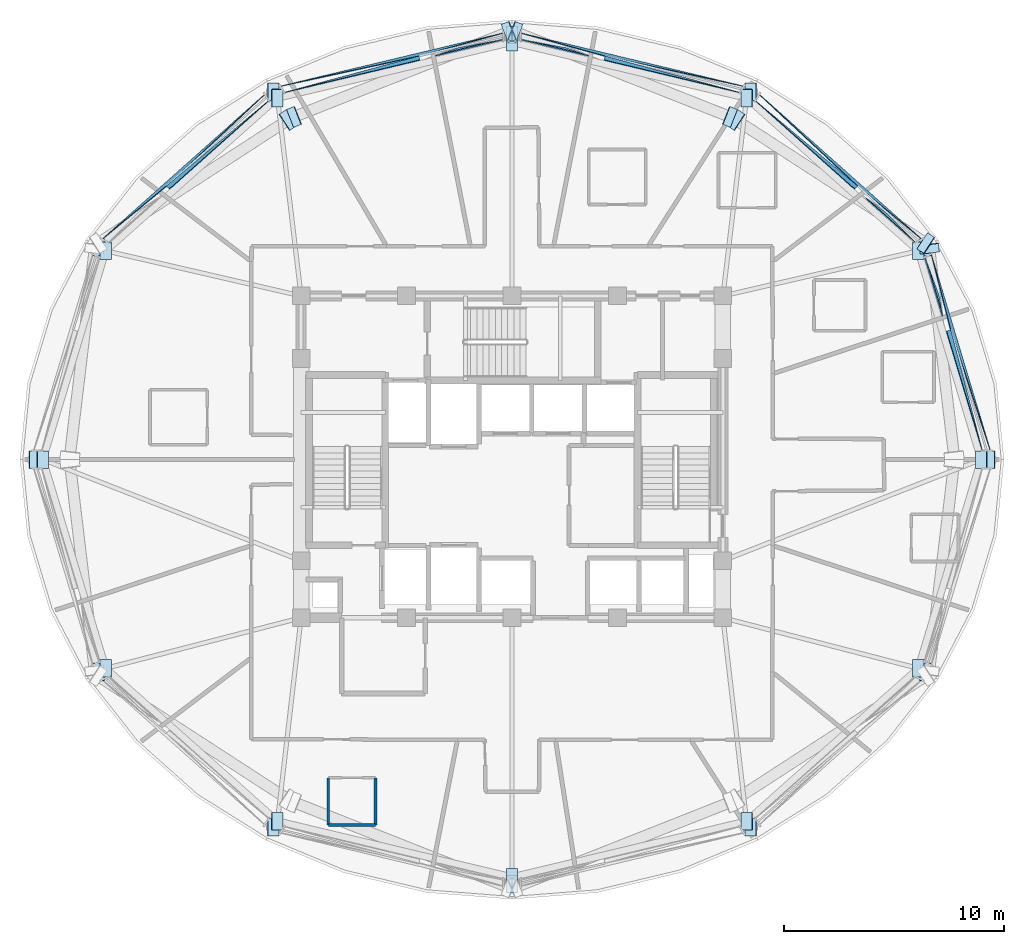
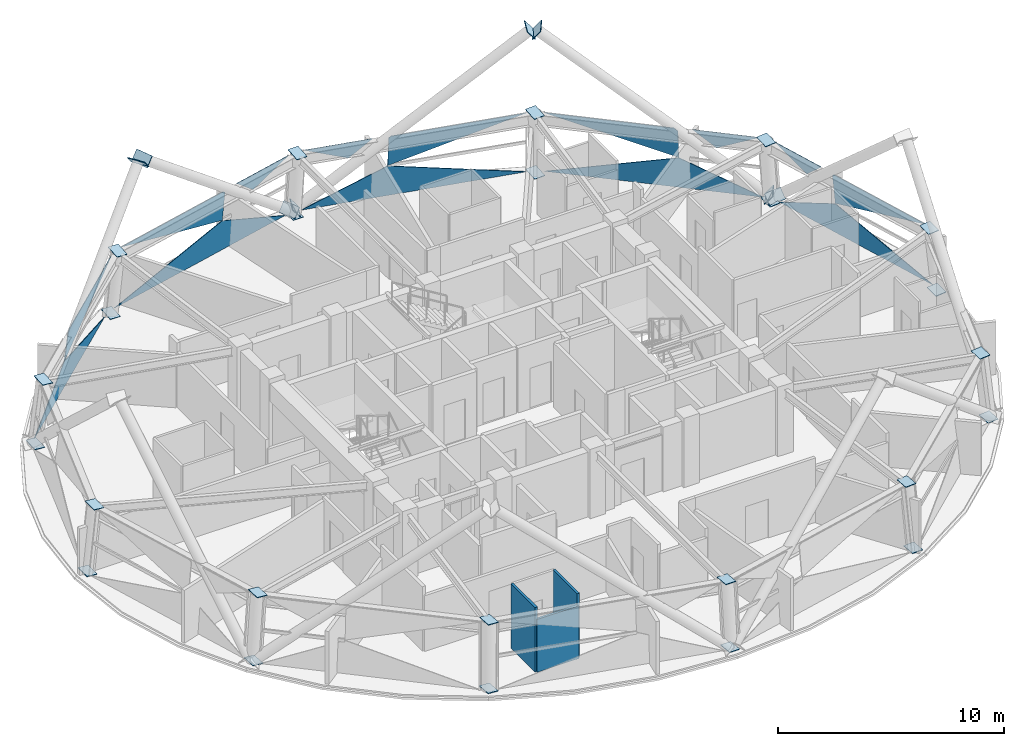
# One storey, part 4 of 12: 46 plates, 3 walls, 5 elements without a shape of their own.
"""IFC4 building model written with IfcOpenShell, lengths in metres."""

from ifc_helpers import new_model, si_unit, direction, frame, frame_2d, origin, place, context, subcontext, project, spatial, polyline, rectangle, outline, extrude, material, layer, layer_set, type_object, element, aggregate, save


model = new_model("IFC4")

# Units and contexts
model_context = context("Model", 3, precision=1e-05, world=origin(), true_north=direction((0.0, 1.0)))
body_context = subcontext(model_context, "Body", "Model", "MODEL_VIEW")
ifc_project = project(units=[si_unit("LENGTHUNIT", "METRE"), si_unit("AREAUNIT", "SQUARE_METRE"), si_unit("VOLUMEUNIT", "CUBIC_METRE"), si_unit("PLANEANGLEUNIT", "RADIAN"), si_unit("MASSUNIT", "GRAM", prefix="KILO")], contexts=[model_context])

# Site, building, storey
site_placement = place(None, origin())
site = spatial("IfcSite", under=ifc_project, at=site_placement, CompositionType="ELEMENT")
building_placement = place(site_placement, origin())
building = spatial("IfcBuilding", under=site, at=building_placement, Name="Vantalir Tower", CompositionType="ELEMENT")
storey_placement = place(building_placement, frame((0.0, 0.0, 249.89990234375)))
storey = spatial("IfcBuildingStorey", under=building, at=storey_placement, Name="L63", CompositionType="ELEMENT", Elevation=249.89990234375)

# Curtain wall, plates
ifc_material_1 = material(Name="Champagne-silver PVDF aluminium and double-silver Low-E glass", Category="aluminium")
ifc_layer_1 = layer(ifc_material_1, 0.2099609375)
ifc_layer_set_1 = layer_set([ifc_layer_1], Name="Champagne-silver PVDF aluminium and double-silver Low-E glass")
curtain_wall_type = type_object("IfcCurtainWallType", Name="CW-DIAMOND-Z3", PredefinedType="USERDEFINED", material=ifc_layer_set_1)
curtain_wall_1_placement = place(storey_placement, origin())
curtain_wall_1 = element("IfcCurtainWall", 1, at=curtain_wall_1_placement, inside=storey, type_object=curtain_wall_type, Name="L63 Quilted Pyramid-Diamond Curtain Wall S01", ObjectType="UNITISED CURTAIN WALL", PredefinedType="USERDEFINED")
ifc_material_2 = material(Name="Double-silver Low-E acoustic glass IGU", Category="glass")
ifc_layer_2 = layer(ifc_material_2, 0.031982421875)
ifc_layer_set_2 = layer_set([ifc_layer_2], Name="Double-silver Low-E acoustic glass IGU")
plate_type_1 = type_object("IfcPlateType", Name="CWP-IGU-32", PredefinedType="CURTAIN_PANEL", material=ifc_layer_set_2)
plate_1_placement = place(storey_placement, frame((53.285400390625, 25.406982421875, 0.046875), z_axis=(0.953854313041, 0.286801968959, 0.08891895239), x_axis=(-0.287944782305, 0.95764701308, 2.6131662e-05)))
plate_1 = element("IfcPlate", 2, at=plate_1_placement, type_object=plate_type_1, Name="CW-L63-S01 Pyramid Diamond Facet 1L", PredefinedType="CURTAIN_PANEL", context=body_context, shape_type="SweptSolid", body=[
    extrude(outline(polyline([(0.0, 0.0), (9.342713298506363, 4.0115480381963664e-18), (5.787645673707032, 1.6972456074696152), (0.0, 0.0)])), origin(), (0.0, 0.0, -1.0), 0.031982421875),
])
plate_2_placement = place(storey_placement, frame((52.917724609375, 25.406982421875, 3.453369140625), z_axis=(0.951113267176, 0.285986994839, 0.116597563374), x_axis=(-0.287946222216, 0.957646579525, -4.2841491e-05)))
plate_2 = element("IfcPlate", 3, at=plate_2_placement, type_object=plate_type_1, Name="CW-L63-S01 Pyramid Diamond Facet 2U", PredefinedType="CURTAIN_PANEL", context=body_context, shape_type="SweptSolid", body=[
    extrude(outline(polyline([(0.0, 0.0), (5.5864714839249086, 3.865180744910823e-17), (5.681783750758393, -0.08800331763763336), (5.681875187742703, -1.7020347678303862), (0.0, 0.0)])), origin(), (0.0, 0.0, -1.0), 0.031982421875),
])
plate_3_placement = place(storey_placement, frame((51.10986328125, 31.54296875, 3.457275390625), z_axis=(0.951086805979, 0.285981361136, 0.116827002764), x_axis=(-0.28795318389, 0.957644487212, 0.0)))
plate_3 = element("IfcPlate", 4, at=plate_3_placement, type_object=plate_type_1, Name="CW-L63-S01 Pyramid Diamond Facet 2U Infill Light", PredefinedType="CURTAIN_PANEL", context=body_context, shape_type="SweptSolid", body=[
    extrude(outline(polyline([(0.0, 0.0), (2.7750075718200757, 0.0), (0.9588133794346961, -0.8857037229028175), (0.0, 0.0)])), origin(), (0.0, 0.0, -1.0), 0.031982421875),
])
aggregate(curtain_wall_1, [plate_1, plate_2, plate_3])

curtain_wall_2_placement = place(storey_placement, origin())
curtain_wall_2 = element("IfcCurtainWall", 5, at=curtain_wall_2_placement, inside=storey, type_object=curtain_wall_type, Name="L63 Quilted Pyramid-Diamond Curtain Wall S02", ObjectType="UNITISED CURTAIN WALL", PredefinedType="USERDEFINED")
plate_4_placement = place(storey_placement, frame((50.15576171875, 35.04345703125, 0.046875), z_axis=(0.662956485366, 0.74392613067, 0.084039339702), x_axis=(-0.74656577347, 0.665311615165, -2.4682308e-05)))
plate_4 = element("IfcPlate", 6, at=plate_4_placement, type_object=plate_type_1, Name="CW-L63-S02 Pyramid Diamond Facet 1L", PredefinedType="CURTAIN_PANEL", context=body_context, shape_type="SweptSolid", body=[
    extrude(outline(polyline([(0.0, 0.0), (9.891320693752773, 6.543160110950019e-17), (3.789561646676022, 1.6970148002873606), (0.0, 0.0)])), origin(), (0.0, 0.0, -1.0), 0.031982421875),
])
plate_5_placement = place(storey_placement, frame((46.962646484375, 37.44091796875, 3.453369140625), z_axis=(0.661132427797, 0.741958051843, 0.111364995489), x_axis=(-0.746602433772, 0.665270475731, 2.635629e-06)))
plate_5 = element("IfcPlate", 7, at=plate_5_placement, type_object=plate_type_1, Name="CW-L63-S02 Pyramid Diamond Facet 2U", PredefinedType="CURTAIN_PANEL", context=body_context, shape_type="SweptSolid", body=[
    extrude(outline(polyline([(0.0, 0.0), (5.860083293968205, 1.1102230246251565e-16), (-0.18920180945727866, -1.7017472066410464), (-0.18916287701650114, -0.16114268288293943), (0.0, 0.0)])), origin(), (0.0, 0.0, -1.0), 0.031982421875),
])
plate_6_placement = place(storey_placement, frame((49.86083984375, 34.906494140625, 3.457275390625), z_axis=(0.66110275605, 0.741983208116, 0.111373537326), x_axis=(-0.746628270205, 0.665241479562, 0.0)))
plate_6 = element("IfcPlate", 8, at=plate_6_placement, type_object=plate_type_1, Name="CW-L63-S02 Pyramid Diamond Facet 2U Infill Light", PredefinedType="CURTAIN_PANEL", context=body_context, shape_type="SweptSolid", body=[
    extrude(outline(polyline([(0.0, 0.0), (3.002757126727058, 0.0), (1.9423213048174064, -0.9028336729487632), (0.0, 0.0)])), origin(), (0.0, 0.0, -1.0), 0.031982421875),
])
aggregate(curtain_wall_2, [plate_4, plate_5, plate_6])

curtain_wall_3_placement = place(storey_placement, origin())
curtain_wall_3 = element("IfcCurtainWall", 9, at=curtain_wall_3_placement, inside=storey, type_object=curtain_wall_type, Name="L63 Quilted Pyramid-Diamond Curtain Wall S03", ObjectType="UNITISED CURTAIN WALL", PredefinedType="USERDEFINED")
plate_7_placement = place(storey_placement, frame((42.040771484375, 42.005615234375, 0.046630859375), z_axis=(0.231537011149, 0.969567811656, 0.079554202078), x_axis=(-0.97265102148, 0.232271371168, 2.3447544e-05)))
plate_7 = element("IfcPlate", 10, at=plate_7_placement, type_object=plate_type_1, Name="CW-L63-S03 Pyramid Diamond Facet 1L", PredefinedType="CURTAIN_PANEL", context=body_context, shape_type="SweptSolid", body=[
    extrude(outline(polyline([(0.0, 0.0), (10.41220456525102, -3.0113715340784886e-17), (6.44826400917512, 1.6966324602909038), (0.0, 0.0)])), origin(), (0.0, 0.0, -1.0), 0.031982421875),
])
plate_8_placement = place(storey_placement, frame((41.856689453125, 41.720947265625, 3.45361328125), z_axis=(0.230927583598, 0.967033833025, 0.107322024386), x_axis=(-0.972650567383, 0.232273270501, -3.9748322e-05)))
plate_8 = element("IfcPlate", 11, at=plate_8_placement, type_object=plate_type_1, Name="CW-L63-S03 Pyramid Diamond Facet 2U", PredefinedType="CURTAIN_PANEL", context=body_context, shape_type="SweptSolid", body=[
    extrude(outline(polyline([(0.0, 0.0), (6.224441190826068, 1.3552527156068805e-19), (6.335489107151419, -0.09232241608423492), (6.335623313282104, -1.7009820325009355), (0.0, 0.0)])), origin(), (0.0, 0.0, -1.0), 0.031982421875),
])
plate_9_placement = place(storey_placement, frame((34.974609375, 43.401123046875, 3.457275390625), z_axis=(0.230986073749, 0.967017359301, 0.107344587868), x_axis=(-0.972637378319, 0.232328496524, 0.0)))
plate_9 = element("IfcPlate", 12, at=plate_9_placement, type_object=plate_type_1, Name="CW-L63-S03 Pyramid Diamond Facet 2U Infill Light", PredefinedType="CURTAIN_PANEL", context=body_context, shape_type="SweptSolid", body=[
    extrude(outline(polyline([(0.0, 0.0), (3.1388661218247003, 0.0), (1.081335859637997, -0.9002211201754972), (0.0, 0.0)])), origin(), (0.0, 0.0, -1.0), 0.031982421875),
])
aggregate(curtain_wall_3, [plate_7, plate_8, plate_9])

curtain_wall_4_placement = place(storey_placement, origin())
curtain_wall_4 = element("IfcCurtainWall", 13, at=curtain_wall_4_placement, inside=storey, type_object=curtain_wall_type, Name="L63 Quilted Pyramid-Diamond Curtain Wall S04", ObjectType="UNITISED CURTAIN WALL", PredefinedType="USERDEFINED")
plate_10_placement = place(storey_placement, frame((31.086669921875, 44.424072265625, 0.046875), z_axis=(-0.231537011149, 0.969567811656, 0.079554202078), x_axis=(-0.97265102148, -0.232271371168, -2.3447544e-05)))
plate_10 = element("IfcPlate", 14, at=plate_10_placement, type_object=plate_type_1, Name="CW-L63-S04 Pyramid Diamond Facet 1L", PredefinedType="CURTAIN_PANEL", context=body_context, shape_type="SweptSolid", body=[
    extrude(outline(polyline([(0.0, 0.0), (10.41220456525102, 3.0113715340784886e-17), (3.9639405560758996, 1.696632460290904), (0.0, 0.0)])), origin(), (0.0, 0.0, -1.0), 0.031982421875),
])
plate_11_placement = place(storey_placement, frame((27.197509765625, 43.166748046875, 3.453369140625), z_axis=(-0.230927583598, 0.967033833025, 0.107322024386), x_axis=(-0.972650567383, -0.232273270501, 3.9748322e-05)))
plate_11 = element("IfcPlate", 15, at=plate_11_placement, type_object=plate_type_1, Name="CW-L63-S04 Pyramid Diamond Facet 2U", PredefinedType="CURTAIN_PANEL", context=body_context, shape_type="SweptSolid", body=[
    extrude(outline(polyline([(0.0, 0.0), (6.224441190826068, -1.3552527156068805e-19), (-0.11118212245603659, -1.7009820325009355), (-0.11104791632535135, -0.09232241608423494), (0.0, 0.0)])), origin(), (0.0, 0.0, -1.0), 0.031982421875),
])
plate_12_placement = place(storey_placement, frame((31.078369140625, 44.13037109375, 3.457275390625), z_axis=(-0.230986073749, 0.967017359301, 0.107344587868), x_axis=(-0.972637378319, -0.232328496524, 0.0)))
plate_12 = element("IfcPlate", 16, at=plate_12_placement, type_object=plate_type_1, Name="CW-L63-S04 Pyramid Diamond Facet 2U Infill Light", PredefinedType="CURTAIN_PANEL", context=body_context, shape_type="SweptSolid", body=[
    extrude(outline(polyline([(0.0, 0.0), (3.1388661218247003, 0.0), (2.057530262186703, -0.9002211201754972), (0.0, 0.0)])), origin(), (0.0, 0.0, -1.0), 0.031982421875),
])
aggregate(curtain_wall_4, [plate_10, plate_11, plate_12])

curtain_wall_5_placement = place(storey_placement, origin())
curtain_wall_5 = element("IfcCurtainWall", 17, at=curtain_wall_5_placement, inside=storey, type_object=curtain_wall_type, Name="L63 Quilted Pyramid-Diamond Curtain Wall S05", ObjectType="UNITISED CURTAIN WALL", PredefinedType="USERDEFINED")
plate_13_placement = place(storey_placement, frame((20.228759765625, 41.624267578125, 0.046630859375), z_axis=(-0.662956485366, 0.74392613067, 0.084039339702), x_axis=(-0.74656577347, -0.665311615165, 2.4682308e-05)))
plate_13 = element("IfcPlate", 18, at=plate_13_placement, type_object=plate_type_1, Name="CW-L63-S05 Pyramid Diamond Facet 1L", PredefinedType="CURTAIN_PANEL", context=body_context, shape_type="SweptSolid", body=[
    extrude(outline(polyline([(0.0, 0.0), (9.891320693752773, -6.543160110950019e-17), (6.101759047076751, 1.6970148002873606), (0.0, 0.0)])), origin(), (0.0, 0.0, -1.0), 0.031982421875),
])
plate_14_placement = place(storey_placement, frame((20.41259765625, 41.33935546875, 3.453369140625), z_axis=(-0.661132427797, 0.741958051843, 0.111364995489), x_axis=(-0.746602433772, -0.665270475731, -2.635629e-06)))
plate_14 = element("IfcPlate", 19, at=plate_14_placement, type_object=plate_type_1, Name="CW-L63-S05 Pyramid Diamond Facet 2U", PredefinedType="CURTAIN_PANEL", context=body_context, shape_type="SweptSolid", body=[
    extrude(outline(polyline([(0.0, 0.0), (5.860083293968205, -1.1102230246251565e-16), (6.0492461709847065, -0.16114268288293948), (6.0492851034254835, -1.7017472066410466), (0.0, 0.0)])), origin(), (0.0, 0.0, -1.0), 0.031982421875),
])
aggregate(curtain_wall_5, [plate_13, plate_14])

# Plates
ifc_material_3 = material(Name="Steel S460", Category="steel")
ifc_layer_3 = layer(ifc_material_3, 0.035888671875)
ifc_layer_set_3 = layer_set([ifc_layer_3], Name="Steel S460")
plate_type_2 = type_object("IfcPlateType", Name="PLT-KN-Z2", PredefinedType="USERDEFINED", material=ifc_layer_set_3)
plate_15_placement = place(storey_placement, frame((50.41015625, 35.326416015625, 0.002685546875), z_axis=(-0.645433268612, 0.419008531145, 0.638629584811), x_axis=(-0.544550191621, -0.838728254882, -5.7178675e-05)))
element("IfcPlate", 20, at=plate_15_placement, inside=storey, type_object=plate_type_2, Name="Node Cap Plate MEM-DG-L63-R04L Start", ObjectType="FLANGE_PLATE", PredefinedType="USERDEFINED", context=body_context, shape_type="SweptSolid", body=[
    extrude(outline(polyline([(0.0, 0.0), (0.8799871925434604, -5.551115123125783e-17), (0.879858438144429, 0.5800273946408394), (4.192425094876295e-06, 0.5798966298169059), (0.0, 0.0)])), origin(), (0.0, 0.0, -1.0), 0.035888671875),
])
plate_16_placement = place(storey_placement, frame((41.778076171875, 40.929443359375, 8.54443359375), z_axis=(-0.645433268612, 0.419008531145, 0.638629584811), x_axis=(-0.544470582306, -0.838779936415, 5.7187314e-05)))
element("IfcPlate", 21, at=plate_16_placement, inside=storey, type_object=plate_type_2, Name="Node Cap Plate MEM-DG-L63-R04L End", ObjectType="FLANGE_PLATE", PredefinedType="USERDEFINED", context=body_context, shape_type="SweptSolid", body=[
    extrude(outline(polyline([(0.0, 0.0), (0.8798542554365341, 0.0), (0.8799446326816583, 0.5798966227893863), (-4.25501431338972e-05, 0.5800274073705662), (0.0, 0.0)])), origin(), (0.0, 0.0, -1.0), 0.035888671875),
])
plate_17_placement = place(storey_placement, frame((50.079345703125, 34.347900390625, 0.016357421875), z_axis=(0.088403068755, -0.739239680082, 0.66761485366), x_axis=(0.992925328274, 0.118740441604, 0.0)))
element("IfcPlate", 22, at=plate_17_placement, inside=storey, type_object=plate_type_2, Name="Node Cap Plate MEM-DG-L63-R04R Start", ObjectType="FLANGE_PLATE", PredefinedType="USERDEFINED", context=body_context, shape_type="SweptSolid", body=[
    extrude(outline(polyline([(0.0, 0.0), (0.8800050436764012, -1.3877787807814457e-17), (0.8798471600051996, 0.5800951088517146), (-0.00015788367120146403, 0.5800951088517146), (0.0, 0.0)])), origin(), (0.0, 0.0, -1.0), 0.035888671875),
])
plate_18_placement = place(storey_placement, frame((31.00341796875, 44.7998046875, -0.0009765625), z_axis=(-0.721306305896, -0.285272716236, 0.63113920053), x_axis=(0.367804956498, -0.929902958657, 3.8171627e-05)))
element("IfcPlate", 23, at=plate_18_placement, inside=storey, type_object=plate_type_2, Name="Node Cap Plate MEM-DG-L63-R10L Start", ObjectType="FLANGE_PLATE", PredefinedType="USERDEFINED", context=body_context, shape_type="SweptSolid", body=[
    extrude(outline(polyline([(0.0, 0.0), (0.8800644750325953, 0.0), (0.8799385049368356, 0.5800376742475654), (0.00019085312571357708, 0.5801242767038503), (0.0, 0.0)])), origin(), (0.0, 0.0, -1.0), 0.035888671875),
])
plate_19_placement = place(storey_placement, frame((21.236572265625, 40.9365234375, 8.5439453125), z_axis=(-0.721306305896, -0.285272716236, 0.63113920053), x_axis=(0.367747181463, -0.929925808367, -3.8185373e-05)))
element("IfcPlate", 24, at=plate_19_placement, inside=storey, type_object=plate_type_2, Name="Node Cap Plate MEM-DG-L63-R10L End", ObjectType="FLANGE_PLATE", PredefinedType="USERDEFINED", context=body_context, shape_type="SweptSolid", body=[
    extrude(outline(polyline([(0.0, 0.0), (0.8797476560736996, 2.7755575615628914e-17), (0.8798814017007122, 0.5801242926806188), (-0.00018306906777054, 0.5800376590366405), (0.0, 0.0)])), origin(), (0.0, 0.0, -1.0), 0.035888671875),
])
plate_20_placement = place(storey_placement, frame((31.6728515625, 43.9814453125, -0.0009765625), z_axis=(0.721306305896, -0.285272716236, 0.63113920053), x_axis=(0.367804956498, 0.929902958657, -3.8171627e-05)))
element("IfcPlate", 25, at=plate_20_placement, inside=storey, type_object=plate_type_2, Name="Node Cap Plate MEM-DG-L63-R10R Start", ObjectType="FLANGE_PLATE", PredefinedType="USERDEFINED", context=body_context, shape_type="SweptSolid", body=[
    extrude(outline(polyline([(0.0, 0.0), (0.8800644750325953, 0.0), (0.8798736219068819, 0.5801242767038504), (0.00012597009575975645, 0.5800376742475652), (0.0, 0.0)])), origin(), (0.0, 0.0, -1.0), 0.035888671875),
])
plate_21_placement = place(storey_placement, frame((41.43994140625, 40.118408203125, 8.5439453125), z_axis=(0.721306305896, -0.285272716236, 0.63113920053), x_axis=(0.367747181463, 0.929925808367, 3.8185373e-05)))
element("IfcPlate", 26, at=plate_21_placement, inside=storey, type_object=plate_type_2, Name="Node Cap Plate MEM-DG-L63-R10R End", ObjectType="FLANGE_PLATE", PredefinedType="USERDEFINED", context=body_context, shape_type="SweptSolid", body=[
    extrude(outline(polyline([(0.0, 0.0), (0.8797476560736996, -2.7755575615628914e-17), (0.8799307251414702, 0.5800376590366405), (-0.00013374562701235648, 0.5801242926806187), (0.0, 0.0)])), origin(), (0.0, 0.0, -1.0), 0.035888671875),
])
plate_22_placement = place(storey_placement, frame((21.700927734375, 40.19140625, 8.54443359375), z_axis=(0.645433268612, 0.419008531145, 0.638629584811), x_axis=(-0.544470582306, 0.838779936415, -5.7187314e-05)))
element("IfcPlate", 27, at=plate_22_placement, inside=storey, type_object=plate_type_2, Name="Node Cap Plate MEM-DG-L63-R16R End", ObjectType="FLANGE_PLATE", PredefinedType="USERDEFINED", context=body_context, shape_type="SweptSolid", body=[
    extrude(outline(polyline([(0.0, 0.0), (0.8798542554365341, 0.0), (0.879896805579668, 0.5800274073705662), (-9.037724512433881e-05, 0.5798966227893863), (0.0, 0.0)])), origin(), (0.0, 0.0, -1.0), 0.035888671875),
])
ifc_layer_4 = layer(ifc_material_3, 0.031982421875)
ifc_layer_set_4 = layer_set([ifc_layer_4], Name="Steel S460")
plate_type_3 = type_object("IfcPlateType", Name="PLT-KN-Z3", PredefinedType="USERDEFINED", material=ifc_layer_set_4)
for number, where, z_axis, x_axis, name in (
    (28, (52.5888671875, 25.39990234375, 3.496826171875), (-0.104709226716, 0.0, 0.994502879755), (0.0, -1.0, 0.0), "L63 Ring Column Top Cap RC01"),
    (29, (52.953857421875, 25.39990234375, 0.025634765625), (-0.104709226716, 0.0, 0.994502879755), (0.0, -1.0, 0.0), "L63 Ring Column Base Cap RC01"),
):
    element("IfcPlate", number, at=place(storey_placement, frame(where, z_axis=z_axis, x_axis=x_axis)), inside=storey, type_object=plate_type_3, Name=name, ObjectType="FLANGE_PLATE", PredefinedType="USERDEFINED", context=body_context, shape_type="SweptSolid", body=[
        extrude(outline(polyline([(0.0, 0.0), (0.7998046875, 0.0), (0.7998046875, 0.5199480607612983), (0.0, 0.5199480607612983), (0.0, 0.0)])), origin(), (0.0, 0.0, -1.0), 0.031982421875),
    ])
plate_23_placement = place(storey_placement, frame((49.72900390625, 34.901611328125, 3.519287109375), z_axis=(-0.090485493429, -0.046655198794, 0.994804336493), x_axis=(-1.3736005e-05, -0.998902000319, -0.046848623995)))
element("IfcPlate", 30, at=plate_23_placement, inside=storey, type_object=plate_type_3, Name="L63 Ring Column Top Cap RC02", ObjectType="FLANGE_PLATE", PredefinedType="USERDEFINED", context=body_context, shape_type="SweptSolid", body=[
    extrude(outline(polyline([(0.0, 0.0), (0.7999562829929165, 4.336808689942018e-19), (0.799936556309746, 0.5199662729741331), (-8.289030827873106e-06, 0.5199442062017868), (0.0, 0.0)])), origin(), (0.0, 0.0, -1.0), 0.031982421875),
])
plate_24_placement = place(storey_placement, frame((50.044189453125, 35.064208984375, 0.048095703125), z_axis=(-0.090210706588, -0.046504723401, 0.994836337856), x_axis=(0.0, -0.998909188262, -0.046695113292)))
element("IfcPlate", 31, at=plate_24_placement, inside=storey, type_object=plate_type_3, Name="L63 Ring Column Base Cap RC02", ObjectType="FLANGE_PLATE", PredefinedType="USERDEFINED", context=body_context, shape_type="SweptSolid", body=[
    extrude(outline(polyline([(0.0, 0.0), (0.7999448548622696, 4.336808689942018e-19), (0.799950890248581, 0.5201873651383615), (6.03538631127002e-06, 0.5201873651383615), (0.0, 0.0)])), origin(), (0.0, 0.0, -1.0), 0.031982421875),
])
plate_25_placement = place(storey_placement, frame((41.9140625, 41.85595703125, 3.54296875), z_axis=(-0.052323824649, -0.081065205559, 0.995334441191), x_axis=(0.0, -0.996699749941, -0.081176403394)))
element("IfcPlate", 32, at=plate_25_placement, inside=storey, type_object=plate_type_3, Name="L63 Ring Column Top Cap RC03", ObjectType="FLANGE_PLATE", PredefinedType="USERDEFINED", context=body_context, shape_type="SweptSolid", body=[
    extrude(outline(polyline([(0.0, 0.0), (0.800003492824559, 0.0), (0.8002369930009976, 0.5199994199357014), (0.00023350017643865425, 0.5199994199357015), (0.0, 0.0)])), origin(), (0.0, 0.0, -1.0), 0.031982421875),
])
plate_26_placement = place(storey_placement, frame((42.0966796875, 42.138427734375, 0.07177734375), z_axis=(-0.052285816417, -0.08106536716, 0.99533642536), x_axis=(0.0, -0.996699749941, -0.081176403394)))
element("IfcPlate", 33, at=plate_26_placement, inside=storey, type_object=plate_type_3, Name="L63 Ring Column Base Cap RC03", ObjectType="FLANGE_PLATE", PredefinedType="USERDEFINED", context=body_context, shape_type="SweptSolid", body=[
    extrude(outline(polyline([(0.0, 0.0), (0.800003492824559, 0.0), (0.7999936581011097, 0.5199983833348194), (-9.834723449234778e-06, 0.5199983833348194), (0.0, 0.0)])), origin(), (0.0, 0.0, -1.0), 0.031982421875),
])
plate_27_placement = place(storey_placement, frame((31.239990234375, 44.39990234375, 3.5615234375), z_axis=(0.0, -0.093699983734, 0.99560047863), x_axis=(0.0, -0.99560047863, -0.093699983734)))
element("IfcPlate", 34, at=plate_27_placement, inside=storey, type_object=plate_type_3, Name="L63 Ring Column Top Cap RC04", ObjectType="FLANGE_PLATE", PredefinedType="USERDEFINED", context=body_context, shape_type="SweptSolid", body=[
    extrude(outline(polyline([(0.0, 0.0), (0.7999059219475921, 0.0), (0.7999059219475921, 0.5200195312500001), (0.0, 0.5200195312500001), (0.0, 0.0)])), origin(), (0.0, 0.0, -1.0), 0.031982421875),
])
plate_28_placement = place(storey_placement, frame((31.239990234375, 44.726318359375, 0.09033203125), z_axis=(0.0, -0.093671519835, 0.995603157072), x_axis=(0.0, -0.995603157072, -0.093671519835)))
element("IfcPlate", 35, at=plate_28_placement, inside=storey, type_object=plate_type_3, Name="L63 Ring Column Base Cap RC04", ObjectType="FLANGE_PLATE", PredefinedType="USERDEFINED", context=body_context, shape_type="SweptSolid", body=[
    extrude(outline(polyline([(0.0, 0.0), (0.8001489887977031, 0.0), (0.8001489887977031, 0.52001953125), (0.0, 0.52001953125), (0.0, 0.0)])), origin(), (0.0, 0.0, -1.0), 0.031982421875),
])
plate_29_placement = place(storey_placement, frame((20.566650390625, 41.853515625, 3.570068359375), z_axis=(0.052323824649, -0.081065205559, 0.995334441191), x_axis=(0.0, -0.996699749941, -0.081176403394)))
element("IfcPlate", 36, at=plate_29_placement, inside=storey, type_object=plate_type_3, Name="L63 Ring Column Top Cap RC05", ObjectType="FLANGE_PLATE", PredefinedType="USERDEFINED", context=body_context, shape_type="SweptSolid", body=[
    extrude(outline(polyline([(0.0, 0.0), (0.800003492824559, 0.0), (0.7997699926481202, 0.5199994199357014), (-0.00023350017643865425, 0.5199994199357015), (0.0, 0.0)])), origin(), (0.0, 0.0, -1.0), 0.031982421875),
])
plate_30_placement = place(storey_placement, frame((20.384033203125, 42.13623046875, 0.098876953125), z_axis=(0.052285816417, -0.08106536716, 0.99533642536), x_axis=(0.0, -0.996699749941, -0.081176403394)))
element("IfcPlate", 37, at=plate_30_placement, inside=storey, type_object=plate_type_3, Name="L63 Ring Column Base Cap RC05", ObjectType="FLANGE_PLATE", PredefinedType="USERDEFINED", context=body_context, shape_type="SweptSolid", body=[
    extrude(outline(polyline([(0.0, 0.0), (0.800003492824559, 0.0), (0.8000133275480081, 0.5199983833348194), (9.834723449234778e-06, 0.5199983833348194), (0.0, 0.0)])), origin(), (0.0, 0.0, -1.0), 0.031982421875),
])
plate_31_placement = place(storey_placement, frame((12.753173828125, 34.8994140625, 3.566162109375), z_axis=(0.090485493429, -0.046655198794, 0.994804336493), x_axis=(-1.3736201e-05, -0.998902117253, -0.04684613066)))
element("IfcPlate", 38, at=plate_31_placement, inside=storey, type_object=plate_type_3, Name="L63 Ring Column Top Cap RC06", ObjectType="FLANGE_PLATE", PredefinedType="USERDEFINED", context=body_context, shape_type="SweptSolid", body=[
    extrude(outline(polyline([(0.0, 0.0), (0.7999448456449338, 4.336808689942018e-19), (0.7999502288674996, 0.5199662733204661), (-6.053821052516128e-06, 0.5199442062326163), (0.0, 0.0)])), origin(), (0.0, 0.0, -1.0), 0.031982421875),
])
plate_32_placement = place(storey_placement, frame((12.437744140625, 35.06201171875, 0.094970703125), z_axis=(0.090210706588, -0.046504723401, 0.994836337856), x_axis=(0.0, -0.998909188262, -0.046695113292)))
element("IfcPlate", 39, at=plate_32_placement, inside=storey, type_object=plate_type_3, Name="L63 Ring Column Base Cap RC06", ObjectType="FLANGE_PLATE", PredefinedType="USERDEFINED", context=body_context, shape_type="SweptSolid", body=[
    extrude(outline(polyline([(0.0, 0.0), (0.7999448548622696, -4.336808689942018e-19), (0.7999388194759585, 0.5201873651383615), (-6.03538631127002e-06, 0.5201873651383615), (0.0, 0.0)])), origin(), (0.0, 0.0, -1.0), 0.031982421875),
])
for number, where, z_axis, x_axis, name in (
    (40, (9.89404296875, 25.39990234375, 3.55126953125), (0.104709226716, 0.0, 0.994502879755), (0.0, -1.0, 0.0), "L63 Ring Column Top Cap RC07"),
    (41, (9.529052734375, 25.39990234375, 0.080078125), (0.104709226716, 0.0, 0.994502879755), (0.0, -1.0, 0.0), "L63 Ring Column Base Cap RC07"),
):
    element("IfcPlate", number, at=place(storey_placement, frame(where, z_axis=z_axis, x_axis=x_axis)), inside=storey, type_object=plate_type_3, Name=name, ObjectType="FLANGE_PLATE", PredefinedType="USERDEFINED", context=body_context, shape_type="SweptSolid", body=[
        extrude(outline(polyline([(0.0, 0.0), (0.7998046875, 0.0), (0.7998046875, 0.5199480607612983), (0.0, 0.5199480607612983), (0.0, 0.0)])), origin(), (0.0, 0.0, -1.0), 0.031982421875),
    ])
plate_33_placement = place(storey_placement, frame((12.753173828125, 15.89990234375, 3.528564453125), z_axis=(0.090263834649, 0.04680064664, 0.994817641394), x_axis=(6.44432e-07, -0.998895246139, 0.046992416831)))
element("IfcPlate", 42, at=plate_33_placement, inside=storey, type_object=plate_type_3, Name="L63 Ring Column Top Cap RC08", ObjectType="FLANGE_PLATE", PredefinedType="USERDEFINED", context=body_context, shape_type="SweptSolid", body=[
    extrude(outline(polyline([(0.0, 0.0), (0.8002001630987525, 4.336808689942018e-19), (0.8001925654483028, 0.5199442203620236), (0.0002362732592522416, 0.5199452557806393), (0.0, 0.0)])), origin(), (0.0, 0.0, -1.0), 0.031982421875),
])
plate_34_placement = place(storey_placement, frame((12.437744140625, 15.736083984375, 0.057373046875), z_axis=(0.090443192568, 0.046958649063, 0.994793905388), x_axis=(-1.3729242e-05, -0.998887671913, 0.047153141069)))
element("IfcPlate", 43, at=plate_34_placement, inside=storey, type_object=plate_type_3, Name="L63 Ring Column Base Cap RC08", ObjectType="FLANGE_PLATE", PredefinedType="USERDEFINED", context=body_context, shape_type="SweptSolid", body=[
    extrude(outline(polyline([(0.0, 0.0), (0.7999677946863786, 4.336808689942018e-19), (0.7999336880872417, 0.5202094066475385), (-2.2594601805670748e-05, 0.520187350508535), (0.0, 0.0)])), origin(), (0.0, 0.0, -1.0), 0.031982421875),
])
plate_35_placement = place(storey_placement, frame((20.566650390625, 8.94384765625, 3.505126953125), z_axis=(0.052323824649, 0.081065205559, 0.995334441191), x_axis=(0.0, -0.996699749941, 0.081176403394)))
element("IfcPlate", 44, at=plate_35_placement, inside=storey, type_object=plate_type_3, Name="L63 Ring Column Top Cap RC09", ObjectType="FLANGE_PLATE", PredefinedType="USERDEFINED", context=body_context, shape_type="SweptSolid", body=[
    extrude(outline(polyline([(0.0, 0.0), (0.800003492824559, 0.0), (0.8002369930009976, 0.5199994199357014), (0.00023350017643865425, 0.5199994199357015), (0.0, 0.0)])), origin(), (0.0, 0.0, -1.0), 0.031982421875),
])
plate_36_placement = place(storey_placement, frame((20.384033203125, 8.6611328125, 0.033935546875), z_axis=(0.052285816417, 0.08106536716, 0.99533642536), x_axis=(0.0, -0.996699749941, 0.081176403394)))
element("IfcPlate", 45, at=plate_36_placement, inside=storey, type_object=plate_type_3, Name="L63 Ring Column Base Cap RC09", ObjectType="FLANGE_PLATE", PredefinedType="USERDEFINED", context=body_context, shape_type="SweptSolid", body=[
    extrude(outline(polyline([(0.0, 0.0), (0.800003492824559, 0.0), (0.7999936581011097, 0.5199983833348194), (-9.834723449234778e-06, 0.5199983833348194), (0.0, 0.0)])), origin(), (0.0, 0.0, -1.0), 0.031982421875),
])
plate_37_placement = place(storey_placement, frame((31.239990234375, 6.396484375, 3.486572265625), z_axis=(0.0, 0.093699983734, 0.99560047863), x_axis=(0.0, -0.99560047863, 0.093699983734)))
element("IfcPlate", 46, at=plate_37_placement, inside=storey, type_object=plate_type_3, Name="L63 Ring Column Top Cap RC10", ObjectType="FLANGE_PLATE", PredefinedType="USERDEFINED", context=body_context, shape_type="SweptSolid", body=[
    extrude(outline(polyline([(0.0, 0.0), (0.7999059219475921, 0.0), (0.7999059219475921, 0.5200195312500001), (0.0, 0.5200195312500001), (0.0, 0.0)])), origin(), (0.0, 0.0, -1.0), 0.031982421875),
])
plate_38_placement = place(storey_placement, frame((31.239990234375, 6.0703125, 0.015380859375), z_axis=(0.0, 0.093671519835, 0.995603157072), x_axis=(0.0, -0.995603157072, 0.093671519835)))
element("IfcPlate", 47, at=plate_38_placement, inside=storey, type_object=plate_type_3, Name="L63 Ring Column Base Cap RC10", ObjectType="FLANGE_PLATE", PredefinedType="USERDEFINED", context=body_context, shape_type="SweptSolid", body=[
    extrude(outline(polyline([(0.0, 0.0), (0.8001489887977031, 0.0), (0.8001489887977031, 0.52001953125), (0.0, 0.52001953125), (0.0, 0.0)])), origin(), (0.0, 0.0, -1.0), 0.031982421875),
])
plate_39_placement = place(storey_placement, frame((41.9140625, 8.94140625, 3.47802734375), z_axis=(-0.052323824649, 0.081065205559, 0.995334441191), x_axis=(0.0, -0.996699749941, 0.081176403394)))
element("IfcPlate", 48, at=plate_39_placement, inside=storey, type_object=plate_type_3, Name="L63 Ring Column Top Cap RC11", ObjectType="FLANGE_PLATE", PredefinedType="USERDEFINED", context=body_context, shape_type="SweptSolid", body=[
    extrude(outline(polyline([(0.0, 0.0), (0.800003492824559, 0.0), (0.7997699926481202, 0.5199994199357014), (-0.00023350017643865425, 0.5199994199357015), (0.0, 0.0)])), origin(), (0.0, 0.0, -1.0), 0.031982421875),
])
plate_40_placement = place(storey_placement, frame((42.0966796875, 8.658935546875, 0.0068359375), z_axis=(-0.052285816417, 0.08106536716, 0.99533642536), x_axis=(0.0, -0.996699749941, 0.081176403394)))
element("IfcPlate", 49, at=plate_40_placement, inside=storey, type_object=plate_type_3, Name="L63 Ring Column Base Cap RC11", ObjectType="FLANGE_PLATE", PredefinedType="USERDEFINED", context=body_context, shape_type="SweptSolid", body=[
    extrude(outline(polyline([(0.0, 0.0), (0.800003492824559, 0.0), (0.8000133275480081, 0.5199983833348194), (9.834723449234778e-06, 0.5199983833348194), (0.0, 0.0)])), origin(), (0.0, 0.0, -1.0), 0.031982421875),
])
plate_41_placement = place(storey_placement, frame((49.72900390625, 15.8974609375, 3.481689453125), z_axis=(-0.090263834649, 0.04680064664, 0.994817641394), x_axis=(6.44628e-07, -0.998895240649, 0.046992533535)))
element("IfcPlate", 50, at=plate_41_placement, inside=storey, type_object=plate_type_3, Name="L63 Ring Column Top Cap RC12", ObjectType="FLANGE_PLATE", PredefinedType="USERDEFINED", context=body_context, shape_type="SweptSolid", body=[
    extrude(outline(polyline([(0.0, 0.0), (0.7999562921897206, 4.336808689942018e-19), (0.799964562826845, 0.5199442203517541), (-0.00023560027123720444, 0.5199452560860227), (0.0, 0.0)])), origin(), (0.0, 0.0, -1.0), 0.031982421875),
])
plate_42_placement = place(storey_placement, frame((50.044189453125, 15.73388671875, 0.010498046875), z_axis=(-0.090443192568, 0.046958649063, 0.994793905388), x_axis=(-1.3729439e-05, -0.998887789494, 0.047150650171)))
element("IfcPlate", 51, at=plate_42_placement, inside=storey, type_object=plate_type_3, Name="L63 Ring Column Base Cap RC12", ObjectType="FLANGE_PLATE", PredefinedType="USERDEFINED", context=body_context, shape_type="SweptSolid", body=[
    extrude(outline(polyline([(0.0, 0.0), (0.7999562829931098, 4.336808689942018e-19), (0.79997604654471, 0.5202094073901835), (8.252162398190207e-06, 0.5201873509337835), (0.0, 0.0)])), origin(), (0.0, 0.0, -1.0), 0.031982421875),
])

# Walls
ifc_material_4 = material(Name="Moisture-resistant en-suite partition", Category="gypsum")
ifc_layer_5 = layer(ifc_material_4, 0.125)
ifc_layer_set_5 = layer_set([ifc_layer_5], Name="Moisture-resistant en-suite partition")
wall_type = type_object("IfcWallType", Name="WL-BATH-125", PredefinedType="PARTITIONING", material=ifc_layer_set_5)
wall_placement = place(storey_placement, frame((23.14111328125, 8.368896484375, 0.0), z_axis=(0.0, 0.0, 1.0), x_axis=(1.0, 0.0, 0.0)))
element("IfcWall", 52, at=wall_placement, inside=storey, type_object=wall_type, Name="L63 En-suite 10 South Wall", PredefinedType="PARTITIONING", context=body_context, shape_type="SweptSolid", body=[
    extrude(rectangle(XDim=2.14990234375, YDim=0.125, at=frame_2d((1.074951171875, 0.0))), origin(), (0.0, 0.0, 1.0), 2.85498046875),
])
for number, where, z_axis, x_axis, name in (
    (53, (23.14111328125, 8.368896484375, 0.0), (0.0, 0.0, 1.0), (0.0, 1.0, 0.0), "L63 En-suite 10 West Wall"),
    (54, (25.291015625, 8.368896484375, 0.0), (0.0, 0.0, 1.0), (0.0, 1.0, 0.0), "L63 En-suite 10 East Wall"),
):
    element("IfcWall", number, at=place(storey_placement, frame(where, z_axis=z_axis, x_axis=x_axis)), inside=storey, type_object=wall_type, Name=name, PredefinedType="PARTITIONING", context=body_context, shape_type="SweptSolid", body=[
        extrude(rectangle(XDim=2.150146484375, YDim=0.125, at=frame_2d((1.0751953125, 0.0))), origin(), (0.0, 0.0, 1.0), 3.47998046875),
    ])

save(model, "model.ifc")
